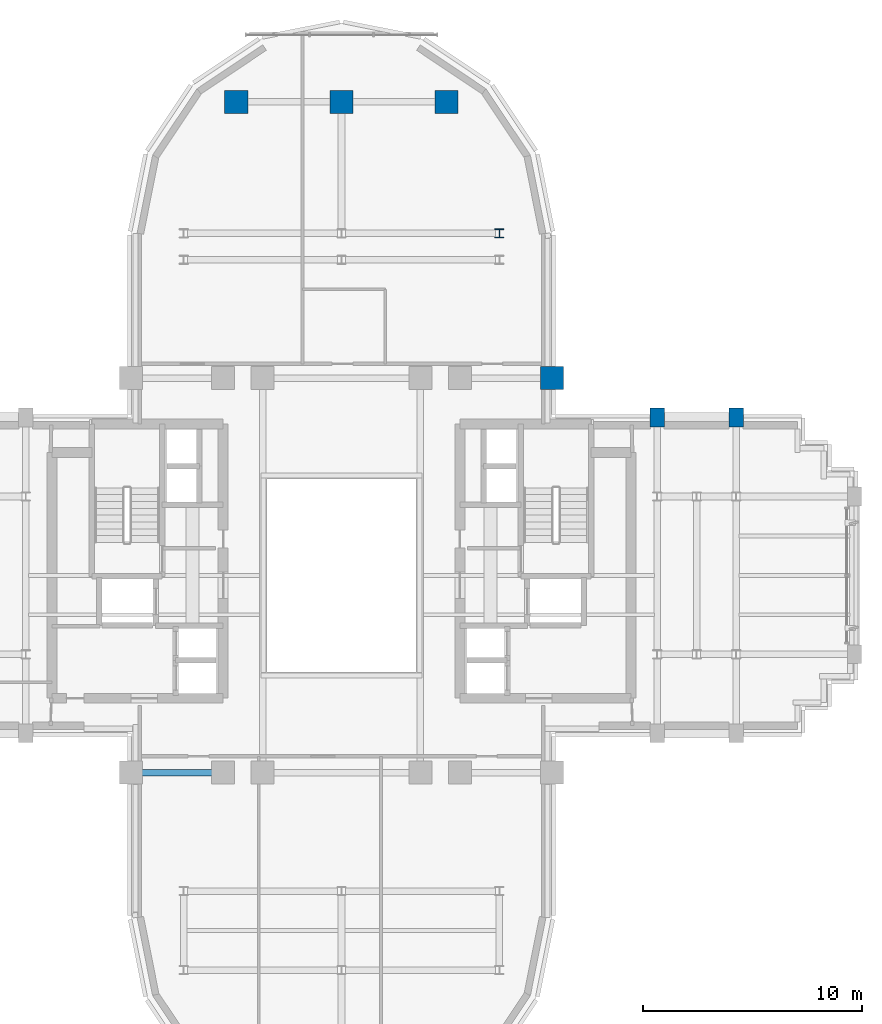
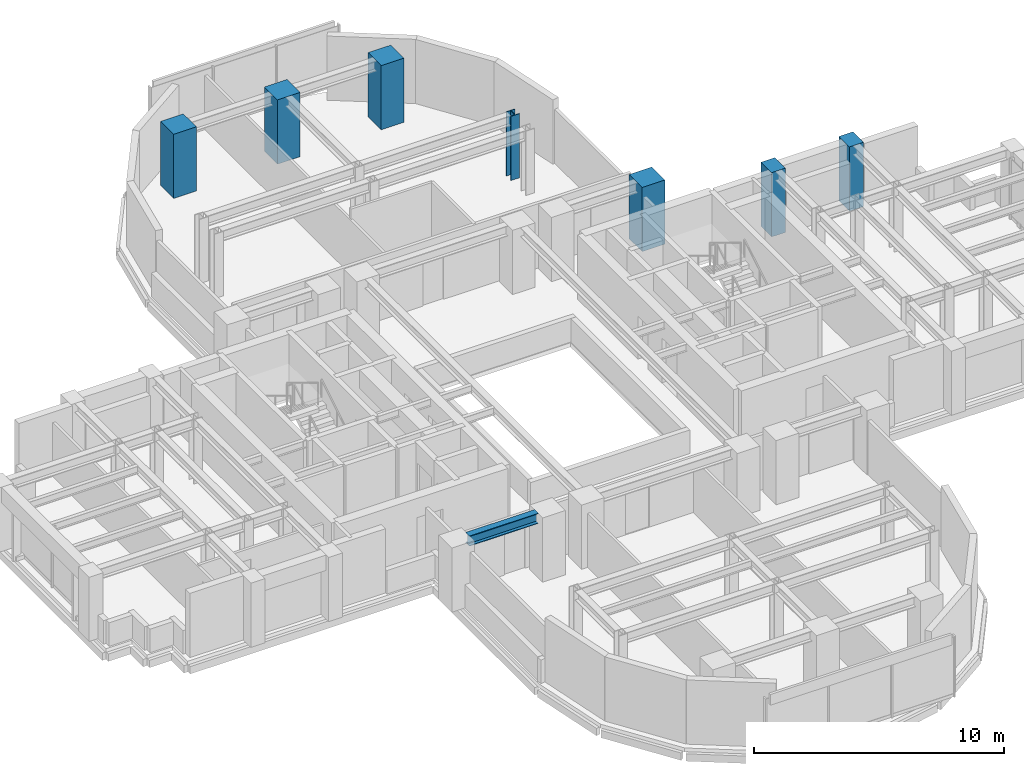
# One storey, part 2 of 13: 7 columns, 1 beam.
"""IFC4 building model written with IfcOpenShell, lengths in metres."""

from ifc_helpers import new_model, si_unit, direction, frame, origin, origin_2d, place, context, subcontext, project, spatial, rectangle, i_section, extrude, source, transform, mapped, material, material_profile, profile_set, type_object, element, save


model = new_model("IFC4")

# Units and contexts
model_context = context("Model", 3, precision=1e-05, world=origin(), true_north=direction((0.0, 1.0)))
body_context = subcontext(model_context, "Body", "Model", "MODEL_VIEW")
ifc_project = project(units=[si_unit("LENGTHUNIT", "METRE"), si_unit("AREAUNIT", "SQUARE_METRE"), si_unit("VOLUMEUNIT", "CUBIC_METRE"), si_unit("PLANEANGLEUNIT", "RADIAN"), si_unit("MASSUNIT", "GRAM", prefix="KILO")], contexts=[model_context])

# Site, building, storey
site_placement = place(None, origin())
site = spatial("IfcSite", under=ifc_project, at=site_placement, CompositionType="ELEMENT")
building_placement = place(site_placement, origin())
building = spatial("IfcBuilding", under=site, at=building_placement, Name="Keilestroom Media Tower", CompositionType="ELEMENT")
storey_placement = place(building_placement, frame((0.0, 0.0, 148.199951171875)))
storey = spatial("IfcBuildingStorey", under=building, at=storey_placement, Name="L40", CompositionType="ELEMENT", Elevation=148.199951171875)

# Columns
ifc_material_1 = material(Name="Precast concrete C40/50", Category="concrete")
ifc_material_profile_1 = material_profile(ifc_material_1, rectangle(XDim=0.64990234375, YDim=0.85009765625, at=origin_2d()), Name="PC 850x650")
ifc_profile_set_1 = profile_set([ifc_material_profile_1], Name="Precast concrete C40/50")
column_type_1 = type_object("IfcColumnType", Name="Structural-Column-PC-850x650", PredefinedType="COLUMN", material=ifc_profile_set_1)
shared_shape_1 = source(origin(), body_context, "Body", "SweptSolid", [
    extrude(rectangle(XDim=0.64990234375, YDim=0.85009765625, at=origin_2d()), origin(), (0.0, 0.0, 1.0), 3.14013671875),
])
for number, where, z_axis, x_axis, name in (
    (1, (14.39990234375, 7.199951171875, 0.0), (0.0, 0.0, 1.0), (1.0, 0.0, 0.0), "L40 Column PC-2 (+14.4,+7.2)"),
    (2, (18.0, 7.199951171875, 0.0), (0.0, 0.0, 1.0), (1.0, 0.0, 0.0), "L40 Column PC-2 (+18.0,+7.2)"),
):
    element("IfcColumn", number, at=place(storey_placement, frame(where, z_axis=z_axis, x_axis=x_axis)), inside=storey, type_object=column_type_1, Name=name, PredefinedType="COLUMN", context=body_context, shape_type="MappedRepresentation", body=[
        mapped(shared_shape_1, transform((0.0, 0.0, 0.0), x_axis=(1.0, 0.0, 0.0), y_axis=(0.0, 1.0, 0.0), z_axis=(0.0, 0.0, 1.0), scale=1.0)),
    ])
ifc_material_2 = material(Name="Steel S355", Category="steel")
ifc_material_profile_2 = material_profile(ifc_material_2, i_section(OverallWidth=0.40087890625, OverallDepth=0.39892578125, WebThickness=0.02001953125, FlangeThickness=0.031982421875, at=origin_2d()), Name="HD 400x314")
ifc_profile_set_2 = profile_set([ifc_material_profile_2], Name="Steel S355")
column_type_2 = type_object("IfcColumnType", Name="Structural-Column-HD-400x314", PredefinedType="COLUMN", material=ifc_profile_set_2)
shared_shape_2 = source(origin(), body_context, "Body", "SweptSolid", [
    extrude(i_section(OverallWidth=0.40087890625, OverallDepth=0.39892578125, WebThickness=0.02001953125, FlangeThickness=0.031982421875, at=origin_2d()), origin(), (0.0, 0.0, 1.0), 3.14013671875),
])
column_placement = place(storey_placement, frame((7.199951171875, 15.60009765625, 0.0), z_axis=(0.0, 0.0, 1.0), x_axis=(1.0, 0.0, 0.0)))
element("IfcColumn", 3, at=column_placement, inside=storey, type_object=column_type_2, Name="L40 Column SC-3 (+7.2,+15.6)", PredefinedType="COLUMN", context=body_context, shape_type="MappedRepresentation", body=[
    mapped(shared_shape_2, transform((0.0, 0.0, 0.0), x_axis=(1.0, 0.0, 0.0), y_axis=(0.0, 1.0, 0.0), z_axis=(0.0, 0.0, 1.0), scale=1.0)),
])
ifc_material_3 = material(Name="Concrete C55/67", Category="concrete")
ifc_material_profile_3 = material_profile(ifc_material_3, rectangle(XDim=1.050048828125, YDim=1.050048828125, at=origin_2d()), Name="RC 1050x1050")
ifc_profile_set_3 = profile_set([ifc_material_profile_3], Name="Concrete C55/67")
column_type_3 = type_object("IfcColumnType", Name="Structural-Column-RC-1050x1050", PredefinedType="COLUMN", material=ifc_profile_set_3)
shared_shape_3 = source(origin(), body_context, "Body", "SweptSolid", [
    extrude(rectangle(XDim=1.050048828125, YDim=1.050048828125, at=origin_2d()), origin(), (0.0, 0.0, 1.0), 3.14013671875),
])
for number, where, z_axis, x_axis, name in (
    (4, (-4.800048828125, 21.60009765625, 0.0), (0.0, 0.0, 1.0), (1.0, 0.0, 0.0), "L40 Column MC-3 (-4.8,+21.6)"),
    (5, (0.0, 21.60009765625, 0.0), (0.0, 0.0, 1.0), (1.0, 0.0, 0.0), "L40 Column MC-3 (+0.0,+21.6)"),
    (6, (4.800048828125, 21.60009765625, 0.0), (0.0, 0.0, 1.0), (1.0, 0.0, 0.0), "L40 Column MC-3 (+4.8,+21.6)"),
    (7, (9.60009765625, 9.0, 0.0), (0.0, 0.0, 1.0), (1.0, 0.0, 0.0), "L40 Column MC-3 (+9.6,+9.0)"),
):
    element("IfcColumn", number, at=place(storey_placement, frame(where, z_axis=z_axis, x_axis=x_axis)), inside=storey, type_object=column_type_3, Name=name, PredefinedType="COLUMN", context=body_context, shape_type="MappedRepresentation", body=[
        mapped(shared_shape_3, transform((0.0, 0.0, 0.0), x_axis=(1.0, 0.0, 0.0), y_axis=(0.0, 1.0, 0.0), z_axis=(0.0, 0.0, 1.0), scale=1.0)),
    ])

# Beam
ifc_material_profile_4 = material_profile(ifc_material_2, i_section(OverallWidth=0.300048828125, OverallDepth=0.5, WebThickness=0.012451171875, FlangeThickness=0.028076171875, at=origin_2d()), Name="HEB 500")
ifc_profile_set_4 = profile_set([ifc_material_profile_4], Name="Steel S355")
beam_type = type_object("IfcBeamType", Name="Primary-Structural-Girder-HEB-500", PredefinedType="BEAM", material=ifc_profile_set_4)
shared_shape_4 = source(origin(), body_context, "Body", "SweptSolid", [
    extrude(i_section(OverallWidth=0.300048828125, OverallDepth=0.5, WebThickness=0.012451171875, FlangeThickness=0.028076171875, at=origin_2d()), origin(), (0.0, 0.0, 1.0), 3.18994140625),
])
beam_placement = place(storey_placement, frame((-9.094970703125, -9.0, 2.89013671875), z_axis=(1.0, 0.0, 0.0), x_axis=(0.0, 1.0, 0.0)))
element("IfcBeam", 8, at=beam_placement, inside=storey, type_object=beam_type, Name="L40 Beam BG-6 BM-L40-EW-007", PredefinedType="BEAM", context=body_context, shape_type="MappedRepresentation", body=[
    mapped(shared_shape_4, transform((0.0, 0.0, 0.0), x_axis=(1.0, 0.0, 0.0), y_axis=(0.0, 1.0, 0.0), z_axis=(0.0, 0.0, 1.0), scale=1.0)),
])

save(model, "model.ifc")
